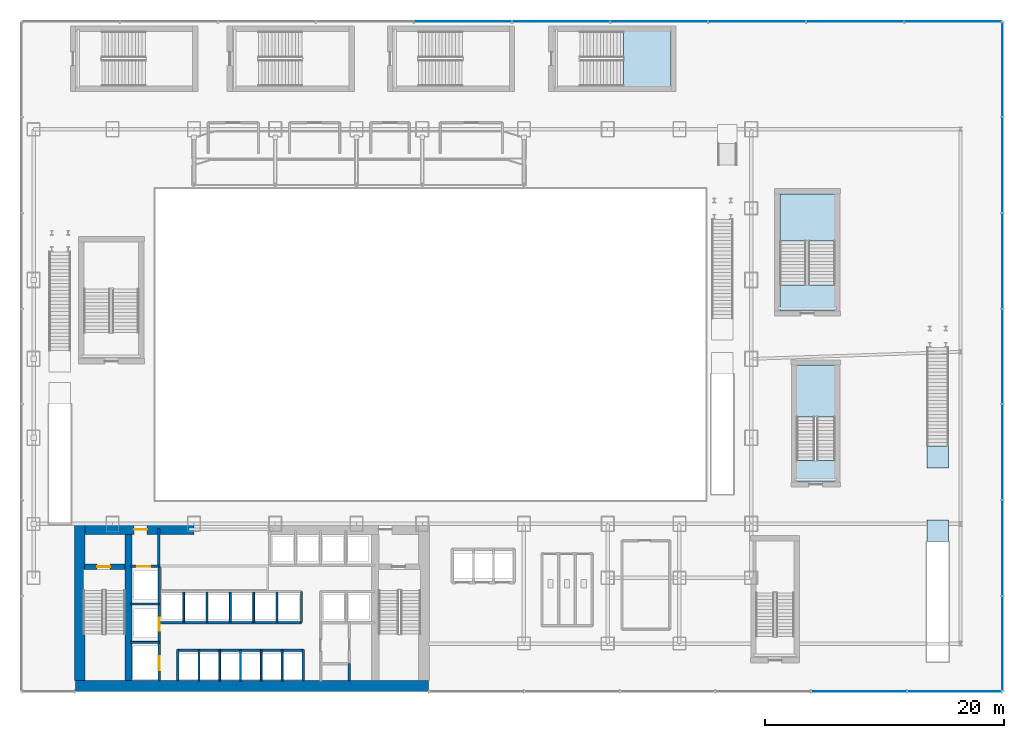
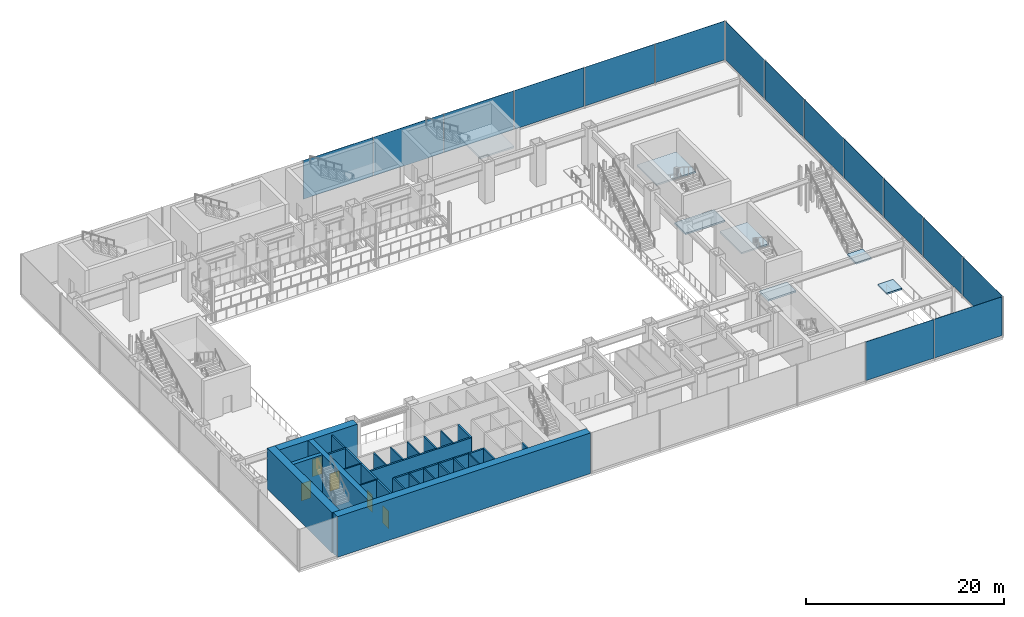
# One storey, part 28 of 40: 26 walls, 15 plates, 7 slabs, 5 doors, 5 openings, 7 elements without a shape of their own.
"""IFC4 building model written with IfcOpenShell, lengths in metres."""

from ifc_helpers import new_model, si_unit, derived_unit, direction, frame, frame_2d, origin, origin_2d, place, context, subcontext, project, spatial, polyline, rectangle, outline, extrude, source, transform, mapped, material, layer, layer_set, type_object, element, fill, aggregate, save


model = new_model("IFC4")

# Units and contexts
model_context = context("Model", 3, precision=1e-05, world=origin(), true_north=direction((0.0, 1.0)))
body_context = subcontext(model_context, "Body", "Model", "MODEL_VIEW")
ifc_project = project(units=[si_unit("LENGTHUNIT", "METRE"), si_unit("AREAUNIT", "SQUARE_METRE"), si_unit("VOLUMEUNIT", "CUBIC_METRE"), si_unit("PLANEANGLEUNIT", "RADIAN"), si_unit("MASSUNIT", "GRAM", prefix="KILO"), derived_unit("THERMALTRANSMITTANCEUNIT", [(si_unit("POWERUNIT", "WATT"), 1), (si_unit("LENGTHUNIT", "METRE"), -2), (si_unit("THERMODYNAMICTEMPERATUREUNIT", "KELVIN"), -1)])], contexts=[model_context])

# Site, building, storey
site_placement = place(None, origin())
site = spatial("IfcSite", under=ifc_project, at=site_placement, CompositionType="ELEMENT")
building_placement = place(site_placement, origin())
building = spatial("IfcBuilding", under=site, at=building_placement, Name="Skarnbrae Concourse Arena and Tower", CompositionType="ELEMENT")
storey_placement = place(building_placement, frame((0.0, 0.0, 6.0)))
storey = spatial("IfcBuildingStorey", under=building, at=storey_placement, Name="L01", CompositionType="ELEMENT", Elevation=6.0)

# Slab
ifc_material_1 = material(Name="Concrete 40 MPa (C40/50)", Category="concrete")
ifc_layer_1 = layer(ifc_material_1, 0.199951171875)
ifc_layer_set_1 = layer_set([ifc_layer_1], Name="Concrete 40 MPa (C40/50)")
slab_type = type_object("IfcSlabType", Name="SLAB-LANDING-200", PredefinedType="LANDING", material=ifc_layer_set_1)
slab_1_placement = place(storey_placement, frame((0.0, 0.0, -0.199951171875)))
element("IfcSlab", 1, at=slab_1_placement, inside=storey, type_object=slab_type, Name="L01 Stair ST-A2 near floor landing", PredefinedType="LANDING", context=body_context, shape_type="SweptSolid", body=[
    extrude(outline(polyline([(68.0, 17.5), (68.0, 19.300048828125), (64.800048828125, 19.300048828125), (64.800048828125, 17.5), (68.0, 17.5)])), origin(), (0.0, 0.0, 1.0), 0.199951171875),
])

# Stair, slab
stair_type_1 = type_object("IfcStairType", Name="STAIR-DOGLEG-1500", PredefinedType="HALF_TURN_STAIR", material=ifc_material_1)
stair_1_placement = place(storey_placement, origin())
stair_1 = element("IfcStair", 2, at=stair_1_placement, inside=storey, type_object=stair_type_1, Name="L01 Arena Exit Stair ST-A2", PredefinedType="HALF_TURN_STAIR")
slab_2_placement = place(storey_placement, frame((0.0, 0.0, 2.300048828125)))
slab_2 = element("IfcSlab", 3, at=slab_2_placement, type_object=slab_type, Name="ST-A2 landing 1", PredefinedType="LANDING", context=body_context, shape_type="SweptSolid", body=[
    extrude(outline(polyline([(68.0, 22.93994140625), (68.0, 27.300048828125), (64.800048828125, 27.300048828125), (64.800048828125, 22.93994140625), (68.0, 22.93994140625)])), origin(), (0.0, 0.0, 1.0), 0.199951171875),
])
aggregate(stair_1, [slab_2])

# Slab
slab_3_placement = place(storey_placement, frame((0.0, 0.0, -0.199951171875)))
element("IfcSlab", 4, at=slab_3_placement, inside=storey, type_object=slab_type, Name="L01 Stair ST-A4 near floor landing", PredefinedType="LANDING", context=body_context, shape_type="SweptSolid", body=[
    extrude(outline(polyline([(68.0, 31.800048828125), (68.0, 34.0), (63.39990234375, 34.0), (63.39990234375, 31.800048828125), (68.0, 31.800048828125)])), origin(), (0.0, 0.0, 1.0), 0.199951171875),
])

# Stair, slab
stair_type_2 = type_object("IfcStairType", Name="STAIR-DOGLEG-2200", PredefinedType="HALF_TURN_STAIR", material=ifc_material_1)
stair_2_placement = place(storey_placement, origin())
stair_2 = element("IfcStair", 5, at=stair_2_placement, inside=storey, type_object=stair_type_2, Name="L01 Arena Exit Stair ST-A4", PredefinedType="HALF_TURN_STAIR")
slab_4_placement = place(storey_placement, frame((0.0, 0.0, 2.300048828125)))
slab_4 = element("IfcSlab", 6, at=slab_4_placement, type_object=slab_type, Name="ST-A4 landing 1", PredefinedType="LANDING", context=body_context, shape_type="SweptSolid", body=[
    extrude(outline(polyline([(68.0, 37.639892578125), (68.0, 41.60009765625), (63.39990234375, 41.60009765625), (63.39990234375, 37.639892578125), (68.0, 37.639892578125)])), origin(), (0.0, 0.0, 1.0), 0.199951171875),
])
aggregate(stair_2, [slab_4])

stair_3_placement = place(storey_placement, origin())
stair_3 = element("IfcStair", 7, at=stair_3_placement, inside=storey, type_object=stair_type_2, Name="L01 Arena Exit Stair ST-A8", PredefinedType="HALF_TURN_STAIR")
slab_5_placement = place(storey_placement, frame((0.0, 0.0, 2.300048828125)))
slab_5 = element("IfcSlab", 8, at=slab_5_placement, type_object=slab_type, Name="ST-A8 landing 1", PredefinedType="LANDING", context=body_context, shape_type="SweptSolid", body=[
    extrude(outline(polyline([(50.340087890625, 50.60009765625), (54.300048828125, 50.60009765625), (54.300048828125, 55.199951171875), (50.340087890625, 55.199951171875), (50.340087890625, 50.60009765625)])), origin(), (0.0, 0.0, 1.0), 0.199951171875),
])
aggregate(stair_3, [slab_5])

# Slab
slab_6_placement = place(storey_placement, frame((0.0, 0.0, -0.199951171875)))
element("IfcSlab", 9, at=slab_6_placement, inside=storey, type_object=slab_type, Name="ST-CONC-1 L01 arrival landing", PredefinedType="LANDING", context=body_context, shape_type="SweptSolid", body=[
    extrude(outline(polyline([(75.699951171875, 12.530029296875), (77.5, 12.530029296875), (77.5, 14.330078125), (75.699951171875, 14.330078125), (75.699951171875, 12.530029296875)])), origin(), (0.0, 0.0, 1.0), 0.199951171875),
])

# Stair, slab
stair_type_3 = type_object("IfcStairType", Name="STAIR-STRAIGHT-1800", PredefinedType="STRAIGHT_RUN_STAIR", material=ifc_material_1)
stair_4_placement = place(storey_placement, origin())
stair_4 = element("IfcStair", 10, at=stair_4_placement, inside=storey, type_object=stair_type_3, Name="L01 Transit Concourse Straight Stair ST-CONC-1", PredefinedType="STRAIGHT_RUN_STAIR")
slab_7_placement = place(storey_placement, frame((0.0, 0.0, -0.199951171875)))
slab_7 = element("IfcSlab", 11, at=slab_7_placement, type_object=slab_type, Name="ST-CONC-1 L01 bottom landing", PredefinedType="LANDING", context=body_context, shape_type="SweptSolid", body=[
    extrude(outline(polyline([(75.699951171875, 18.699951171875), (77.5, 18.699951171875), (77.5, 20.5), (75.699951171875, 20.5), (75.699951171875, 18.699951171875)])), origin(), (0.0, 0.0, 1.0), 0.199951171875),
])
aggregate(stair_4, [slab_7])

# Curtain wall, plate
ifc_material_2 = material(Name="Bronze anodised aluminium 6063-T6", Category="aluminium")
curtain_wall_type = type_object("IfcCurtainWallType", Name="CW-SYS-01-PODIUM", PredefinedType="USERDEFINED", material=ifc_material_2)
curtain_wall_1_placement = place(storey_placement, origin())
curtain_wall_1 = element("IfcCurtainWall", 12, at=curtain_wall_1_placement, inside=storey, type_object=curtain_wall_type, Name="L01 Unitised curtain wall CW-L01-SE", ObjectType="UNITISED CURTAIN WALL", PredefinedType="USERDEFINED")
ifc_material_3 = material(Name="Low-E triple insulating glass", Category="glass")
ifc_layer_2 = layer(ifc_material_3, 0.035888671875)
ifc_layer_set_2 = layer_set([ifc_layer_2], Name="Low-E triple insulating glass")
plate_type = type_object("IfcPlateType", Name="CWP-CW-01", PredefinedType="CURTAIN_PANEL", material=ifc_layer_set_2)
shared_shape_1 = source(origin(), body_context, "Body", "SweptSolid", [
    extrude(rectangle(XDim=7.87255859375, YDim=0.035888671875, at=origin_2d()), origin(), (0.0, 0.0, 1.0), 4.780029296875),
])
plate_1_placement = place(storey_placement, frame((77.978759765625, 0.0, 0.22021484375), z_axis=(0.0, 0.0, 1.0), x_axis=(1.0, 0.0, 0.0)))
plate_1 = element("IfcPlate", 13, at=plate_1_placement, type_object=plate_type, Name="CW-L01-SE Low-E Glazing Panel 6", PredefinedType="CURTAIN_PANEL", context=body_context, shape_type="MappedRepresentation", body=[
    mapped(shared_shape_1, transform((0.0, 0.0, 0.0))),
])

# Curtain wall, plates
curtain_wall_2_placement = place(storey_placement, origin())
curtain_wall_2 = element("IfcCurtainWall", 14, at=curtain_wall_2_placement, inside=storey, type_object=curtain_wall_type, Name="L01 Unitised curtain wall CW-L01-E", ObjectType="UNITISED CURTAIN WALL", PredefinedType="USERDEFINED")
plate_2_placement = place(storey_placement, frame((82.0, 4.021240234375, 0.22021484375), z_axis=(0.0, 0.0, 1.0), x_axis=(0.0, 1.0, 0.0)))
plate_2 = element("IfcPlate", 15, at=plate_2_placement, type_object=plate_type, Name="CW-L01-E Low-E Glazing Panel 1", PredefinedType="CURTAIN_PANEL", context=body_context, shape_type="MappedRepresentation", body=[
    mapped(shared_shape_1, transform((0.0, 0.0, 0.0))),
])
plate_3_placement = place(storey_placement, frame((82.0, 51.978759765625, 0.22021484375), z_axis=(0.0, 0.0, 1.0), x_axis=(0.0, 1.0, 0.0)))
plate_3 = element("IfcPlate", 16, at=plate_3_placement, type_object=plate_type, Name="CW-L01-E Low-E Glazing Panel 7", PredefinedType="CURTAIN_PANEL", context=body_context, shape_type="MappedRepresentation", body=[
    mapped(shared_shape_1, transform((0.0, 0.0, 0.0))),
])

# Plate
shared_shape_2 = source(origin(), body_context, "Body", "SweptSolid", [
    extrude(rectangle(XDim=7.9150390625, YDim=0.035888671875, at=origin_2d()), origin(), (0.0, 0.0, 1.0), 4.780029296875),
])
plate_4_placement = place(storey_placement, frame((70.0, 0.0, 0.22021484375), z_axis=(0.0, 0.0, 1.0), x_axis=(1.0, 0.0, 0.0)))
plate_4 = element("IfcPlate", 17, at=plate_4_placement, type_object=plate_type, Name="CW-L01-SE Low-E Glazing Panel 5", PredefinedType="CURTAIN_PANEL", context=body_context, shape_type="MappedRepresentation", body=[
    mapped(shared_shape_2, transform((0.0, 0.0, 0.0))),
])

aggregate(curtain_wall_1, [plate_4, plate_1])

plate_5_placement = place(storey_placement, frame((82.0, 12.0, 0.22021484375), z_axis=(0.0, 0.0, 1.0), x_axis=(0.0, 1.0, 0.0)))
plate_5 = element("IfcPlate", 18, at=plate_5_placement, type_object=plate_type, Name="CW-L01-E Low-E Glazing Panel 2", PredefinedType="CURTAIN_PANEL", context=body_context, shape_type="MappedRepresentation", body=[
    mapped(shared_shape_2, transform((0.0, 0.0, 0.0))),
])

plate_6_placement = place(storey_placement, frame((82.0, 20.0, 0.22021484375), z_axis=(0.0, 0.0, 1.0), x_axis=(0.0, 1.0, 0.0)))
plate_6 = element("IfcPlate", 19, at=plate_6_placement, type_object=plate_type, Name="CW-L01-E Low-E Glazing Panel 3", PredefinedType="CURTAIN_PANEL", context=body_context, shape_type="MappedRepresentation", body=[
    mapped(shared_shape_2, transform((0.0, 0.0, 0.0))),
])

plate_7_placement = place(storey_placement, frame((82.0, 28.0, 0.22021484375), z_axis=(0.0, 0.0, 1.0), x_axis=(0.0, 1.0, 0.0)))
plate_7 = element("IfcPlate", 20, at=plate_7_placement, type_object=plate_type, Name="CW-L01-E Low-E Glazing Panel 4", PredefinedType="CURTAIN_PANEL", context=body_context, shape_type="MappedRepresentation", body=[
    mapped(shared_shape_2, transform((0.0, 0.0, 0.0))),
])

plate_8_placement = place(storey_placement, frame((82.0, 36.0, 0.22021484375), z_axis=(0.0, 0.0, 1.0), x_axis=(0.0, 1.0, 0.0)))
plate_8 = element("IfcPlate", 21, at=plate_8_placement, type_object=plate_type, Name="CW-L01-E Low-E Glazing Panel 5", PredefinedType="CURTAIN_PANEL", context=body_context, shape_type="MappedRepresentation", body=[
    mapped(shared_shape_2, transform((0.0, 0.0, 0.0))),
])

plate_9_placement = place(storey_placement, frame((82.0, 44.0, 0.22021484375), z_axis=(0.0, 0.0, 1.0), x_axis=(0.0, 1.0, 0.0)))
plate_9 = element("IfcPlate", 22, at=plate_9_placement, type_object=plate_type, Name="CW-L01-E Low-E Glazing Panel 6", PredefinedType="CURTAIN_PANEL", context=body_context, shape_type="MappedRepresentation", body=[
    mapped(shared_shape_2, transform((0.0, 0.0, 0.0))),
])

aggregate(curtain_wall_2, [plate_2, plate_5, plate_6, plate_7, plate_8, plate_9, plate_3])

# Curtain wall, plates
curtain_wall_3_placement = place(storey_placement, origin())
curtain_wall_3 = element("IfcCurtainWall", 23, at=curtain_wall_3_placement, inside=storey, type_object=curtain_wall_type, Name="L01 Unitised curtain wall CW-L01-N", ObjectType="UNITISED CURTAIN WALL", PredefinedType="USERDEFINED")
shared_shape_3 = source(origin(), body_context, "Body", "SweptSolid", [
    extrude(rectangle(XDim=8.072509765625, YDim=0.035888671875, at=origin_2d()), origin(), (0.0, 0.0, 1.0), 4.780029296875),
])
plate_10_placement = place(storey_placement, frame((77.878662109375, 56.0, 0.22021484375), z_axis=(0.0, 0.0, 1.0), x_axis=(-1.0, 0.0, 0.0)))
plate_10 = element("IfcPlate", 24, at=plate_10_placement, type_object=plate_type, Name="CW-L01-N Low-E Glazing Panel 1", PredefinedType="CURTAIN_PANEL", context=body_context, shape_type="MappedRepresentation", body=[
    mapped(shared_shape_3, transform((0.0, 0.0, 0.0))),
])
shared_shape_4 = source(origin(), body_context, "Body", "SweptSolid", [
    extrude(rectangle(XDim=8.114990234375, YDim=0.035888671875, at=origin_2d()), origin(), (0.0, 0.0, 1.0), 4.780029296875),
])
plate_11_placement = place(storey_placement, frame((69.699951171875, 56.0, 0.22021484375), z_axis=(0.0, 0.0, 1.0), x_axis=(-1.0, 0.0, 0.0)))
plate_11 = element("IfcPlate", 25, at=plate_11_placement, type_object=plate_type, Name="CW-L01-N Low-E Glazing Panel 2", PredefinedType="CURTAIN_PANEL", context=body_context, shape_type="MappedRepresentation", body=[
    mapped(shared_shape_4, transform((0.0, 0.0, 0.0))),
])
plate_12_placement = place(storey_placement, frame((61.5, 56.0, 0.22021484375), z_axis=(0.0, 0.0, 1.0), x_axis=(-1.0, 0.0, 0.0)))
plate_12 = element("IfcPlate", 26, at=plate_12_placement, type_object=plate_type, Name="CW-L01-N Low-E Glazing Panel 3", PredefinedType="CURTAIN_PANEL", context=body_context, shape_type="MappedRepresentation", body=[
    mapped(shared_shape_4, transform((0.0, 0.0, 0.0))),
])
plate_13_placement = place(storey_placement, frame((53.300048828125, 56.0, 0.22021484375), z_axis=(0.0, 0.0, 1.0), x_axis=(-1.0, 0.0, 0.0)))
plate_13 = element("IfcPlate", 27, at=plate_13_placement, type_object=plate_type, Name="CW-L01-N Low-E Glazing Panel 4", PredefinedType="CURTAIN_PANEL", context=body_context, shape_type="MappedRepresentation", body=[
    mapped(shared_shape_4, transform((0.0, 0.0, 0.0))),
])
plate_14_placement = place(storey_placement, frame((45.10009765625, 56.0, 0.22021484375), z_axis=(0.0, 0.0, 1.0), x_axis=(-1.0, 0.0, 0.0)))
plate_14 = element("IfcPlate", 28, at=plate_14_placement, type_object=plate_type, Name="CW-L01-N Low-E Glazing Panel 5", PredefinedType="CURTAIN_PANEL", context=body_context, shape_type="MappedRepresentation", body=[
    mapped(shared_shape_4, transform((0.0, 0.0, 0.0))),
])
plate_15_placement = place(storey_placement, frame((36.89990234375, 56.0, 0.22021484375), z_axis=(0.0, 0.0, 1.0), x_axis=(-1.0, 0.0, 0.0)))
plate_15 = element("IfcPlate", 29, at=plate_15_placement, type_object=plate_type, Name="CW-L01-N Low-E Glazing Panel 6", PredefinedType="CURTAIN_PANEL", context=body_context, shape_type="MappedRepresentation", body=[
    mapped(shared_shape_4, transform((0.0, 0.0, 0.0))),
])
aggregate(curtain_wall_3, [plate_10, plate_11, plate_12, plate_13, plate_14, plate_15])

# Walls
ifc_material_4 = material(Name="Concrete 70 MPa (C70/85)", Category="concrete")
ifc_layer_3 = layer(ifc_material_4, 0.89990234375)
ifc_layer_set_3 = layer_set([ifc_layer_3], Name="Concrete 70 MPa (C70/85)")
wall_type_1 = type_object("IfcWallType", Name="WALL-CORE-900-C70", PredefinedType="SHEAR", material=ifc_layer_set_3)
shared_shape_5 = source(origin(), body_context, "Body", "SweptSolid", [
    extrude(rectangle(XDim=29.5, YDim=0.89990234375, at=frame_2d((14.75, 0.0))), origin(), (0.0, 0.0, 1.0), 5.0),
])
wall_1_placement = place(storey_placement, frame((4.5, 0.449951171875, 0.0), z_axis=(0.0, 0.0, 1.0), x_axis=(1.0, 0.0, 0.0)))
element("IfcWall", 30, at=wall_1_placement, inside=storey, type_object=wall_type_1, Name="L01 Rear core shear wall CW-S", PredefinedType="SHEAR", context=body_context, shape_type="MappedRepresentation", body=[
    mapped(shared_shape_5, transform((0.0, 0.0, 0.0))),
])
shared_shape_6 = source(origin(), body_context, "Body", "SweptSolid", [
    extrude(rectangle(XDim=13.10009765625, YDim=0.89990234375, at=frame_2d((6.550048828125, 0.0))), origin(), (0.0, 0.0, 1.0), 5.0),
])
wall_2_placement = place(storey_placement, frame((4.85009765625, 0.89990234375, 0.0), z_axis=(0.0, 0.0, 1.0), x_axis=(0.0, 1.0, 0.0)))
element("IfcWall", 31, at=wall_2_placement, inside=storey, type_object=wall_type_1, Name="L01 Rear core shear wall CW-W", PredefinedType="SHEAR", context=body_context, shape_type="MappedRepresentation", body=[
    mapped(shared_shape_6, transform((0.0, 0.0, 0.0))),
])
ifc_layer_4 = layer(ifc_material_4, 0.60009765625)
ifc_layer_set_4 = layer_set([ifc_layer_4], Name="Concrete 70 MPa (C70/85)")
wall_type_2 = type_object("IfcWallType", Name="WALL-CORE-600-C70", PredefinedType="SHEAR", material=ifc_layer_set_4)
shared_shape_7 = source(origin(), body_context, "Body", "SweptSolid", [
    extrude(rectangle(XDim=12.2001953125, YDim=0.60009765625, at=frame_2d((6.10009765625, 0.0))), origin(), (0.0, 0.0, 1.0), 5.0),
])
wall_3_placement = place(storey_placement, frame((8.93994140625, 0.89990234375, 0.0), z_axis=(0.0, 0.0, 1.0), x_axis=(0.0, 1.0, 0.0)))
element("IfcWall", 32, at=wall_3_placement, inside=storey, type_object=wall_type_2, Name="L01 Rear core shear wall CW-WEB-W", PredefinedType="SHEAR", context=body_context, shape_type="MappedRepresentation", body=[
    mapped(shared_shape_7, transform((0.0, 0.0, 0.0))),
])

# Wall, opening, door
shared_shape_8 = source(origin(), body_context, "Body", "SweptSolid", [
    extrude(rectangle(XDim=9.099853515625, YDim=0.89990234375, at=frame_2d((4.5498046875, 0.0))), origin(), (0.0, 0.0, 1.0), 5.0),
])
wall_4_placement = place(storey_placement, frame((5.300048828125, 13.550048828125, 0.0), z_axis=(0.0, 0.0, 1.0), x_axis=(1.0, 0.0, 0.0)))
wall_4 = element("IfcWall", 33, at=wall_4_placement, inside=storey, type_object=wall_type_1, Name="L01 Rear core shear wall CW-NW", PredefinedType="SHEAR", context=body_context, shape_type="MappedRepresentation", body=[
    mapped(shared_shape_8, transform((0.0, 0.0, 0.0))),
])
opening_1_placement = place(wall_4_placement, frame((4.10009765625, 0.0, 0.0)))
opening_1 = element("IfcOpeningElement", 34, at=opening_1_placement, cuts=wall_4, Name="Opening DT-03", PredefinedType="OPENING", context=body_context, shape_type="SweptSolid", body=[
    extrude(rectangle(XDim=1.10009765625, YDim=2.14990234375, at=frame_2d((0.550048828125, 1.074951171875))), frame((0.0, 0.4599609375, 0.0), z_axis=(0.0, -1.0, 0.0), x_axis=(1.0, 0.0, 0.0)), (0.0, 0.0, 1.0), 0.919921875),
])
ifc_material_5 = material(Name="Steel CSA G40.21 350W", Category="steel")
door_type_1 = type_object("IfcDoorType", Name="DOOR-FIRE-1100-90M", OperationType="NOTDEFINED", PredefinedType="DOOR", material=ifc_material_5)
shared_shape_9 = source(origin(), body_context, "Body", "SweptSolid", [
    extrude(rectangle(XDim=1.10009765625, YDim=2.14990234375, at=frame_2d((0.550048828125, 1.074951171875))), frame((0.0, 0.02490234375, 0.0), z_axis=(0.0, -1.0, 0.0), x_axis=(1.0, 0.0, 0.0)), (0.0, 0.0, 1.0), 0.050048828125),
])
door_1_placement = place(opening_1_placement, origin())
door_1 = element("IfcDoor", 35, at=door_1_placement, inside=storey, type_object=door_type_1, Name="D-0201 Firefighting Lobby Exit Door", OperationType="SINGLE_SWING_RIGHT", OverallHeight=2.14990234375, OverallWidth=1.10009765625, PredefinedType="DOOR", context=body_context, shape_type="MappedRepresentation", body=[
    mapped(shared_shape_9, transform((0.0, 0.0, 0.0))),
])
fill(opening_1, door_1)

ifc_material_6 = material(Name="Concrete 50 MPa (C50/60)", Category="concrete")
ifc_layer_5 = layer(ifc_material_6, 0.449951171875)
ifc_layer_set_5 = layer_set([ifc_layer_5], Name="Concrete 50 MPa (C50/60)")
wall_type_3 = type_object("IfcWallType", Name="WALL-CORE-450-C50", PredefinedType="SHEAR", material=ifc_layer_set_5)
shared_shape_10 = source(origin(), body_context, "Body", "SweptSolid", [
    extrude(rectangle(XDim=3.389892578125, YDim=0.449951171875, at=frame_2d((1.69482421875, 0.0))), origin(), (0.0, 0.0, 1.0), 5.0),
])
wall_5_placement = place(storey_placement, frame((5.25, 10.419921875, 0.0), z_axis=(0.0, 0.0, 1.0), x_axis=(1.0, 0.0, 0.0)))
wall_5 = element("IfcWall", 36, at=wall_5_placement, inside=storey, type_object=wall_type_3, Name="L01 Rear core shear wall CW-ST1-N", PredefinedType="SHEAR", context=body_context, shape_type="MappedRepresentation", body=[
    mapped(shared_shape_10, transform((0.0, 0.0, 0.0))),
])
opening_2_placement = place(wall_5_placement, frame((1.050048828125, 0.0, 0.0)))
opening_2 = element("IfcOpeningElement", 37, at=opening_2_placement, cuts=wall_5, Name="Opening DT-03", PredefinedType="OPENING", context=body_context, shape_type="SweptSolid", body=[
    extrude(rectangle(XDim=1.10009765625, YDim=2.14990234375, at=frame_2d((0.550048828125, 1.074951171875))), frame((0.0, 0.23486328125, 0.0), z_axis=(0.0, -1.0, 0.0), x_axis=(1.0, 0.0, 0.0)), (0.0, 0.0, 1.0), 0.469970703125),
])
door_2_placement = place(opening_2_placement, frame((1.10009765625, 0.0, 0.0), z_axis=(0.0, 0.0, 1.0), x_axis=(-1.0, 0.0, 0.0)))
door_2 = element("IfcDoor", 38, at=door_2_placement, inside=storey, type_object=door_type_1, Name="D-0199 Stair ST-1 Door", OperationType="SINGLE_SWING_LEFT", OverallHeight=2.14990234375, OverallWidth=1.10009765625, PredefinedType="DOOR", context=body_context, shape_type="MappedRepresentation", body=[
    mapped(shared_shape_9, transform((0.0, 0.0, 0.0))),
])
fill(opening_2, door_2)

# Wall
ifc_material_7 = material(Name="Gypsum board on cold-formed steel studs", Category="steel")
ifc_layer_6 = layer(ifc_material_7, 0.199951171875)
ifc_layer_set_6 = layer_set([ifc_layer_6], Name="Gypsum board on cold-formed steel studs")
wall_type_4 = type_object("IfcWallType", Name="WALL-PART-200-2HR", PredefinedType="PARTITIONING", material=ifc_layer_set_6)
shared_shape_11 = source(origin(), body_context, "Body", "SweptSolid", [
    extrude(rectangle(XDim=3.18017578125, YDim=0.199951171875, at=frame_2d((1.590087890625, 0.0))), origin(), (0.0, 0.0, 1.0), 4.699951171875),
])
wall_6_placement = place(storey_placement, frame((11.449951171875, 10.419921875, 0.0), z_axis=(0.0, 0.0, 1.0), x_axis=(0.0, 1.0, 0.0)))
element("IfcWall", 39, at=wall_6_placement, inside=storey, type_object=wall_type_4, Name="L01 Interior partition wall W-L01-FFL-E", PredefinedType="PARTITIONING", context=body_context, shape_type="MappedRepresentation", body=[
    mapped(shared_shape_11, transform((0.0, 0.0, 0.0))),
])

# Wall, opening, door
shared_shape_12 = source(origin(), body_context, "Body", "SweptSolid", [
    extrude(rectangle(XDim=2.349853515625, YDim=0.199951171875, at=frame_2d((1.1748046875, 0.0))), origin(), (0.0, 0.0, 1.0), 4.699951171875),
])
wall_7_placement = place(storey_placement, frame((9.10009765625, 10.449951171875, 0.0), z_axis=(0.0, 0.0, 1.0), x_axis=(1.0, 0.0, 0.0)))
wall_7 = element("IfcWall", 40, at=wall_7_placement, inside=storey, type_object=wall_type_4, Name="L01 Interior partition wall W-L01-FL1-N", PredefinedType="PARTITIONING", context=body_context, shape_type="MappedRepresentation", body=[
    mapped(shared_shape_12, transform((0.0, 0.0, 0.0))),
])
opening_3_placement = place(wall_7_placement, frame((0.550048828125, 0.0, 0.0)))
opening_3 = element("IfcOpeningElement", 41, at=opening_3_placement, cuts=wall_7, Name="Opening LD-01", PredefinedType="OPENING", context=body_context, shape_type="SweptSolid", body=[
    extrude(rectangle(XDim=1.10009765625, YDim=2.14990234375, at=frame_2d((0.550048828125, 1.074951171875))), frame((0.0, 0.10986328125, 0.0), z_axis=(0.0, -1.0, 0.0), x_axis=(1.0, 0.0, 0.0)), (0.0, 0.0, 1.0), 0.219970703125),
])
door_type_2 = type_object("IfcDoorType", Name="DOOR-LIFT-SLIDE-1100", OperationType="SLIDING_TO_LEFT", PredefinedType="DOOR", material=ifc_material_5)
door_3_placement = place(opening_3_placement, origin())
door_3 = element("IfcDoor", 42, at=door_3_placement, inside=storey, type_object=door_type_2, Name="D-0203 Firefighting Lift Landing Door FL-01", OperationType="SLIDING_TO_LEFT", OverallHeight=2.14990234375, OverallWidth=1.10009765625, PredefinedType="DOOR", context=body_context, shape_type="MappedRepresentation", body=[
    mapped(shared_shape_9, transform((0.0, 0.0, 0.0))),
])
fill(opening_3, door_3)

# Wall, openings, doors
shared_shape_13 = source(origin(), body_context, "Body", "SweptSolid", [
    extrude(rectangle(XDim=9.599853515625, YDim=0.199951171875, at=frame_2d((4.7998046875, 0.0))), origin(), (0.0, 0.0, 1.0), 4.699951171875),
])
wall_8_placement = place(storey_placement, frame((11.5, 0.85009765625, 0.0), z_axis=(0.0, 0.0, 1.0), x_axis=(0.0, 1.0, 0.0)))
wall_8 = element("IfcWall", 43, at=wall_8_placement, inside=storey, type_object=wall_type_4, Name="L01 Interior partition wall W-L01-FL-E", PredefinedType="PARTITIONING", context=body_context, shape_type="MappedRepresentation", body=[
    mapped(shared_shape_13, transform((0.0, 0.0, 0.0))),
])
opening_4_placement = place(wall_8_placement, frame((4.199951171875, 0.0, 0.0)))
opening_4 = element("IfcOpeningElement", 44, at=opening_4_placement, cuts=wall_8, Name="Opening LD-01", PredefinedType="OPENING", context=body_context, shape_type="SweptSolid", body=[
    extrude(rectangle(XDim=1.10009765625, YDim=2.14990234375, at=frame_2d((0.550048828125, 1.074951171875))), frame((0.0, 0.10986328125, 0.0), z_axis=(0.0, -1.0, 0.0), x_axis=(1.0, 0.0, 0.0)), (0.0, 0.0, 1.0), 0.219970703125),
])
opening_5_placement = place(wall_8_placement, frame((0.89990234375, 0.0, 0.0)))
opening_5 = element("IfcOpeningElement", 45, at=opening_5_placement, cuts=wall_8, Name="Opening LD-02", PredefinedType="OPENING", context=body_context, shape_type="SweptSolid", body=[
    extrude(rectangle(XDim=1.199951171875, YDim=2.14990234375, at=frame_2d((0.60009765625, 1.074951171875))), frame((0.0, 0.10986328125, 0.0), z_axis=(0.0, -1.0, 0.0), x_axis=(1.0, 0.0, 0.0)), (0.0, 0.0, 1.0), 0.219970703125),
])
door_4_placement = place(opening_4_placement, frame((1.10009765625, 0.0, 0.0), z_axis=(0.0, 0.0, 1.0), x_axis=(-1.0, 0.0, 0.0)))
door_4 = element("IfcDoor", 46, at=door_4_placement, inside=storey, type_object=door_type_2, Name="D-0204 Firefighting Lift Landing Door FL-02", OperationType="SLIDING_TO_LEFT", OverallHeight=2.14990234375, OverallWidth=1.10009765625, PredefinedType="DOOR", context=body_context, shape_type="MappedRepresentation", body=[
    mapped(shared_shape_9, transform((0.0, 0.0, 0.0))),
])
fill(opening_4, door_4)
door_type_3 = type_object("IfcDoorType", Name="DOOR-LIFT-SLIDE-1200", OperationType="SLIDING_TO_LEFT", PredefinedType="DOOR", material=ifc_material_5)
shared_shape_14 = source(origin(), body_context, "Body", "SweptSolid", [
    extrude(rectangle(XDim=1.199951171875, YDim=2.14990234375, at=frame_2d((0.60009765625, 1.074951171875))), frame((0.0, 0.02490234375, 0.0), z_axis=(0.0, -1.0, 0.0), x_axis=(1.0, 0.0, 0.0)), (0.0, 0.0, 1.0), 0.050048828125),
])
door_5_placement = place(opening_5_placement, frame((1.199951171875, 0.0, 0.0), z_axis=(0.0, 0.0, 1.0), x_axis=(-1.0, 0.0, 0.0)))
door_5 = element("IfcDoor", 47, at=door_5_placement, inside=storey, type_object=door_type_3, Name="D-0205 Service Lift Landing Door SV-01", OperationType="SLIDING_TO_LEFT", OverallHeight=2.14990234375, OverallWidth=1.199951171875, PredefinedType="DOOR", context=body_context, shape_type="MappedRepresentation", body=[
    mapped(shared_shape_14, transform((0.0, 0.0, 0.0))),
])
fill(opening_5, door_5)

# Walls
ifc_layer_7 = layer(ifc_material_7, 0.14990234375)
ifc_layer_set_7 = layer_set([ifc_layer_7], Name="Gypsum board on cold-formed steel studs")
wall_type_5 = type_object("IfcWallType", Name="WALL-PART-150", PredefinedType="PARTITIONING", material=ifc_layer_set_7)
shared_shape_15 = source(origin(), body_context, "Body", "SweptSolid", [
    extrude(rectangle(XDim=2.39990234375, YDim=0.14990234375, at=frame_2d((1.199951171875, 0.0))), origin(), (0.0, 0.0, 1.0), 4.699951171875),
])
for number, where, z_axis, x_axis, name in (
    (48, (9.10009765625, 4.10009765625, 0.0), (0.0, 0.0, 1.0), (1.0, 0.0, 0.0), "L01 Interior partition wall W-L01-FL-D1"),
    (49, (9.10009765625, 7.300048828125, 0.0), (0.0, 0.0, 1.0), (1.0, 0.0, 0.0), "L01 Interior partition wall W-L01-FL-D2"),
):
    element("IfcWall", number, at=place(storey_placement, frame(where, z_axis=z_axis, x_axis=x_axis)), inside=storey, type_object=wall_type_5, Name=name, PredefinedType="PARTITIONING", context=body_context, shape_type="MappedRepresentation", body=[
        mapped(shared_shape_15, transform((0.0, 0.0, 0.0))),
    ])
shared_shape_16 = source(origin(), body_context, "Body", "SweptSolid", [
    extrude(rectangle(XDim=2.64990234375, YDim=0.199951171875, at=frame_2d((1.324951171875, 0.0))), origin(), (0.0, 0.0, 1.0), 4.699951171875),
])
for number, where, z_axis, x_axis, name in (
    (50, (13.050048828125, 0.85009765625, 0.0), (0.0, 0.0, 1.0), (0.0, 1.0, 0.0), "L01 Interior partition wall W-L01-B1-W"),
    (51, (23.550048828125, 0.85009765625, 0.0), (0.0, 0.0, 1.0), (0.0, 1.0, 0.0), "L01 Interior partition wall W-L01-B1-E"),
):
    element("IfcWall", number, at=place(storey_placement, frame(where, z_axis=z_axis, x_axis=x_axis)), inside=storey, type_object=wall_type_4, Name=name, PredefinedType="PARTITIONING", context=body_context, shape_type="MappedRepresentation", body=[
        mapped(shared_shape_16, transform((0.0, 0.0, 0.0))),
    ])
shared_shape_17 = source(origin(), body_context, "Body", "SweptSolid", [
    extrude(rectangle(XDim=11.849853515625, YDim=0.199951171875, at=frame_2d((5.9248046875, 0.0))), origin(), (0.0, 0.0, 1.0), 4.699951171875),
])
wall_9_placement = place(storey_placement, frame((11.550048828125, 5.75, 0.0), z_axis=(0.0, 0.0, 1.0), x_axis=(1.0, 0.0, 0.0)))
element("IfcWall", 52, at=wall_9_placement, inside=storey, type_object=wall_type_4, Name="L01 Interior partition wall W-L01-B2-S", PredefinedType="PARTITIONING", context=body_context, shape_type="MappedRepresentation", body=[
    mapped(shared_shape_17, transform((0.0, 0.0, 0.0))),
])
shared_shape_18 = source(origin(), body_context, "Body", "SweptSolid", [
    extrude(rectangle(XDim=2.60009765625, YDim=0.199951171875, at=frame_2d((1.300048828125, 0.0))), origin(), (0.0, 0.0, 1.0), 4.699951171875),
])
wall_10_placement = place(storey_placement, frame((23.39990234375, 5.75, 0.0), z_axis=(0.0, 0.0, 1.0), x_axis=(0.0, 1.0, 0.0)))
element("IfcWall", 53, at=wall_10_placement, inside=storey, type_object=wall_type_4, Name="L01 Interior partition wall W-L01-B2-E", PredefinedType="PARTITIONING", context=body_context, shape_type="MappedRepresentation", body=[
    mapped(shared_shape_18, transform((0.0, 0.0, 0.0))),
])
shared_shape_19 = source(origin(), body_context, "Body", "SweptSolid", [
    extrude(rectangle(XDim=1.5, YDim=0.199951171875, at=frame_2d((0.75, 0.0))), origin(), (0.0, 0.0, 1.0), 4.699951171875),
])
wall_11_placement = place(storey_placement, frame((27.39990234375, 0.85009765625, 0.0), z_axis=(0.0, 0.0, 1.0), x_axis=(0.0, 1.0, 0.0)))
element("IfcWall", 54, at=wall_11_placement, inside=storey, type_object=wall_type_4, Name="L01 Interior partition wall W-L01-MEP-E", PredefinedType="PARTITIONING", context=body_context, shape_type="MappedRepresentation", body=[
    mapped(shared_shape_19, transform((0.0, 0.0, 0.0))),
])
shared_shape_20 = source(origin(), body_context, "Body", "SweptSolid", [
    extrude(rectangle(XDim=10.5, YDim=0.199951171875, at=frame_2d((5.25, 0.0))), origin(), (0.0, 0.0, 1.0), 4.699951171875),
])
wall_12_placement = place(storey_placement, frame((13.050048828125, 3.449951171875, 0.0), z_axis=(0.0, 0.0, 1.0), x_axis=(1.0, 0.0, 0.0)))
element("IfcWall", 55, at=wall_12_placement, inside=storey, type_object=wall_type_4, Name="L01 Interior partition wall W-L01-B1-N", PredefinedType="PARTITIONING", context=body_context, shape_type="MappedRepresentation", body=[
    mapped(shared_shape_20, transform((0.0, 0.0, 0.0))),
])
shared_shape_21 = source(origin(), body_context, "Body", "SweptSolid", [
    extrude(rectangle(XDim=2.599853515625, YDim=0.14990234375, at=frame_2d((1.2998046875, 0.0))), origin(), (0.0, 0.0, 1.0), 4.699951171875),
])
for number, where, z_axis, x_axis, name in (
    (56, (14.820068359375, 0.85009765625, 0.0), (0.0, 0.0, 1.0), (0.0, 1.0, 0.0), "L01 Interior partition wall W-L01-B1-P1"),
    (57, (16.56005859375, 0.85009765625, 0.0), (0.0, 0.0, 1.0), (0.0, 1.0, 0.0), "L01 Interior partition wall W-L01-B1-P2"),
    (58, (18.300048828125, 0.85009765625, 0.0), (0.0, 0.0, 1.0), (0.0, 1.0, 0.0), "L01 Interior partition wall W-L01-B1-P3"),
    (59, (20.0400390625, 0.85009765625, 0.0), (0.0, 0.0, 1.0), (0.0, 1.0, 0.0), "L01 Interior partition wall W-L01-B1-P4"),
    (60, (21.780029296875, 0.85009765625, 0.0), (0.0, 0.0, 1.0), (0.0, 1.0, 0.0), "L01 Interior partition wall W-L01-B1-P5"),
):
    element("IfcWall", number, at=place(storey_placement, frame(where, z_axis=z_axis, x_axis=x_axis)), inside=storey, type_object=wall_type_5, Name=name, PredefinedType="PARTITIONING", context=body_context, shape_type="MappedRepresentation", body=[
        mapped(shared_shape_21, transform((0.0, 0.0, 0.0))),
    ])
shared_shape_22 = source(origin(), body_context, "Body", "SweptSolid", [
    extrude(rectangle(XDim=2.5, YDim=0.14990234375, at=frame_2d((1.25, 0.0))), origin(), (0.0, 0.0, 1.0), 4.699951171875),
])
for number, where, z_axis, x_axis, name in (
    (61, (13.550048828125, 5.800048828125, 0.0), (0.0, 0.0, 1.0), (0.0, 1.0, 0.0), "L01 Interior partition wall W-L01-B2-P1"),
    (62, (15.5, 5.800048828125, 0.0), (0.0, 0.0, 1.0), (0.0, 1.0, 0.0), "L01 Interior partition wall W-L01-B2-P2"),
    (63, (17.449951171875, 5.800048828125, 0.0), (0.0, 0.0, 1.0), (0.0, 1.0, 0.0), "L01 Interior partition wall W-L01-B2-P3"),
    (64, (19.39990234375, 5.800048828125, 0.0), (0.0, 0.0, 1.0), (0.0, 1.0, 0.0), "L01 Interior partition wall W-L01-B2-P4"),
    (65, (21.35009765625, 5.800048828125, 0.0), (0.0, 0.0, 1.0), (0.0, 1.0, 0.0), "L01 Interior partition wall W-L01-B2-P5"),
):
    element("IfcWall", number, at=place(storey_placement, frame(where, z_axis=z_axis, x_axis=x_axis)), inside=storey, type_object=wall_type_5, Name=name, PredefinedType="PARTITIONING", context=body_context, shape_type="MappedRepresentation", body=[
        mapped(shared_shape_22, transform((0.0, 0.0, 0.0))),
    ])

save(model, "model.ifc")
